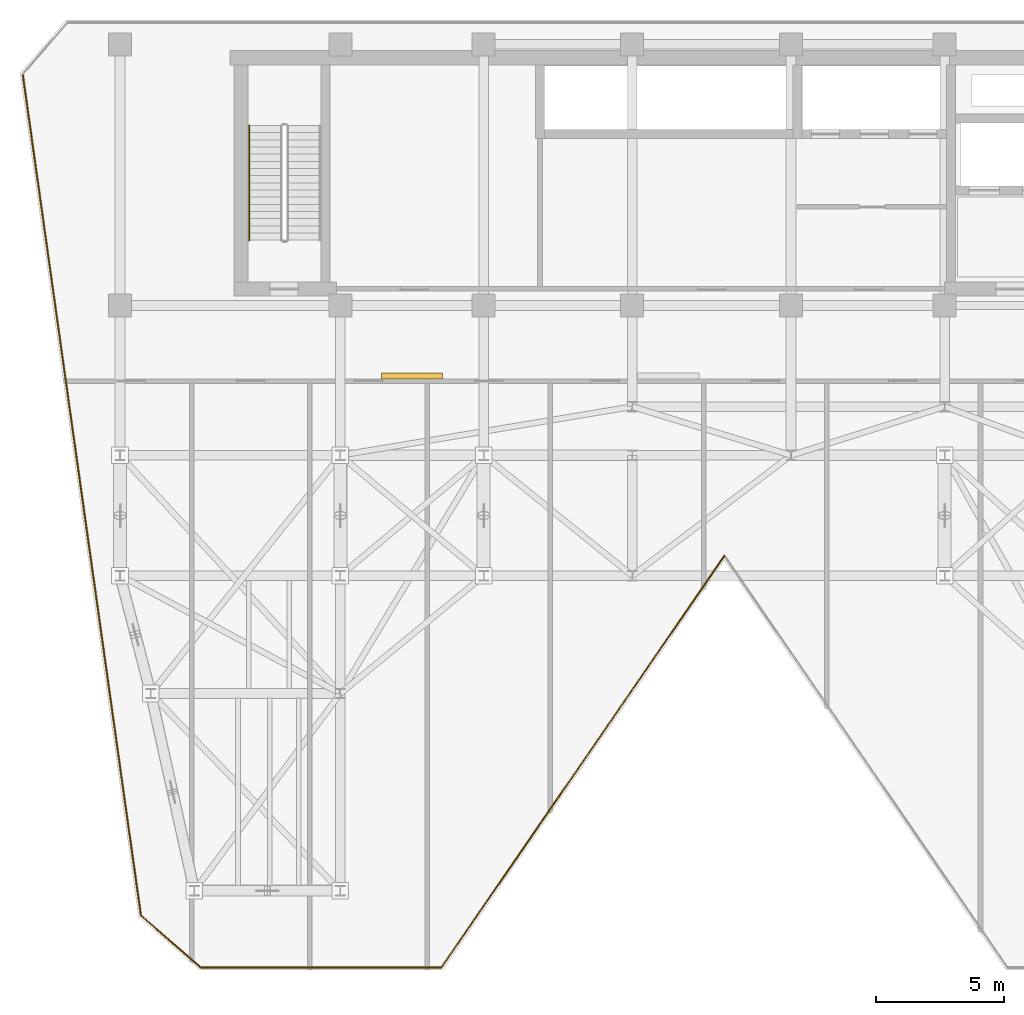
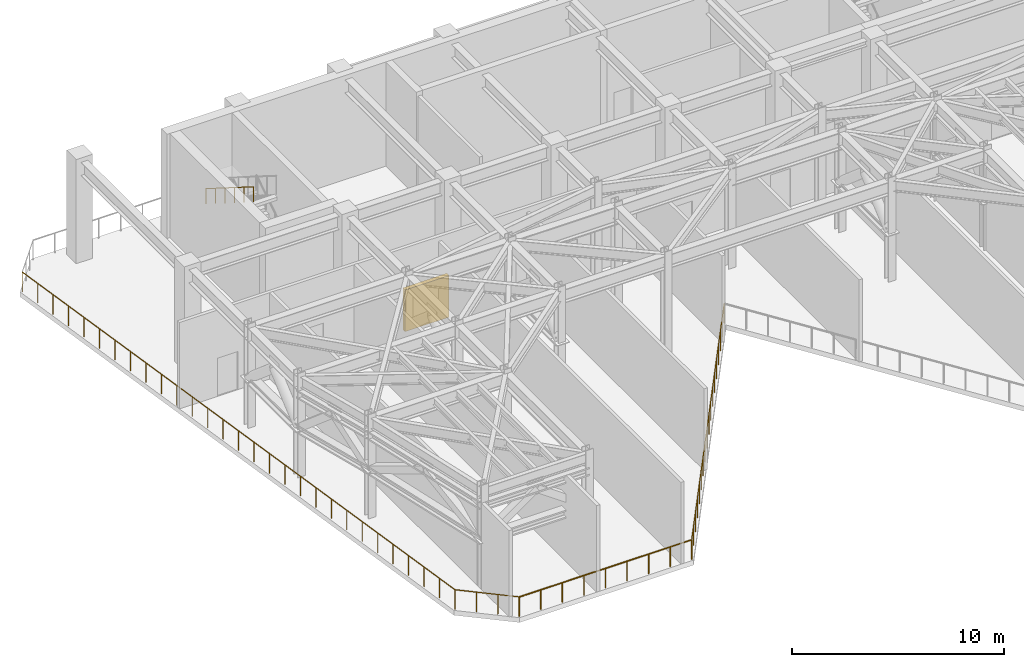
# One storey, part 6 of 12: 5 railings, 1 shading device.
"""IFC4 building model written with IfcOpenShell, lengths in metres."""

from ifc_helpers import new_model, si_unit, direction, frame, origin, origin_2d, place, context, subcontext, project, spatial, rectangle, circle, extrude, material, layer, layer_set, type_object, element, save


model = new_model("IFC4")

# Units and contexts
model_context = context("Model", 3, precision=1e-05, world=origin(), true_north=direction((0.0, 1.0)))
body_context = subcontext(model_context, "Body", "Model", "MODEL_VIEW")
ifc_project = project(units=[si_unit("LENGTHUNIT", "METRE"), si_unit("AREAUNIT", "SQUARE_METRE"), si_unit("VOLUMEUNIT", "CUBIC_METRE"), si_unit("PLANEANGLEUNIT", "RADIAN"), si_unit("MASSUNIT", "GRAM", prefix="KILO")], contexts=[model_context])

# Site, building, storey
site_placement = place(None, origin())
site = spatial("IfcSite", under=ifc_project, at=site_placement, CompositionType="ELEMENT")
building_placement = place(site_placement, origin())
building = spatial("IfcBuilding", under=site, at=building_placement, Name="Kravanh Interchange Tower", CompositionType="ELEMENT")
storey_placement = place(building_placement, frame((0.0, 0.0, 225.0)))
storey = spatial("IfcBuildingStorey", under=building, at=storey_placement, Name="L54", CompositionType="ELEMENT", Elevation=225.0)

# Shading device
ifc_material_1 = material(Name="Extruded Bronze Aluminium Acoustic Blades", Category="aluminium")
ifc_layer_1 = layer(ifc_material_1, 0.219970703125)
ifc_layer_set_1 = layer_set([ifc_layer_1], Name="Acoustic Weatherproof Plant Louvre Bank")
shading_device_type = type_object("IfcShadingDeviceType", Name="Acoustic Weatherproof Plant Louvre Bank", PredefinedType="JALOUSIE", material=ifc_layer_set_1)
shading_device_placement = place(storey_placement, frame((30.0, 34.60009765625, 0.0), z_axis=(0.0, 0.0, 1.0), x_axis=(1.0, 0.0, 0.0)))
element("IfcShadingDevice", 1, at=shading_device_placement, inside=storey, type_object=shading_device_type, Name="L54 Plant Acoustic Intake Louvre 1", PredefinedType="JALOUSIE", context=body_context, shape_type="SweptSolid", body=[
    extrude(rectangle(XDim=2.39990234375, YDim=0.219970703125, at=origin_2d()), origin(), (0.0, 0.0, 1.0), 2.39990234375),
])

# Railings
ifc_material_2 = material(Name="Stainless Steel 304", Category="steel")
ifc_layer_2 = layer(ifc_material_2, 0.044921875)
ifc_layer_set_2 = layer_set([ifc_layer_2], Name="Tubular Stair Handrail Stainless 304 900mm")
railing_type_1 = type_object("IfcRailingType", Name="Tubular Stair Handrail Stainless 304 900mm", PredefinedType="HANDRAIL", material=ifc_layer_set_2)
railing_1_placement = place(storey_placement, frame((23.64990234375, 44.3798828125, 3.176513671875)))
element("IfcRailing", 2, at=railing_1_placement, inside=storey, type_object=railing_type_1, Name="L54 ST3 stair handrail 2", PredefinedType="HANDRAIL", context=body_context, shape_type="SweptSolid", body=[
    extrude(circle(Radius=0.02392578125, at=origin_2d()), frame((0.0, 0.0, 0.8759765625), z_axis=(0.0, -0.845997938375, 0.533186166611), x_axis=(1.0, 0.0, 0.0)), (0.0, 0.0, 1.0), 5.29541015625),
    extrude(circle(Radius=0.02099609375, at=origin_2d()), origin(), (0.0, 0.0, 1.0), 0.851806640625),
    extrude(circle(Radius=0.02099609375, at=origin_2d()), frame((0.0, -0.89599609375, 0.564697265625)), (0.0, 0.0, 1.0), 0.851806640625),
    extrude(circle(Radius=0.02099609375, at=origin_2d()), frame((0.0, -1.7919921875, 1.12939453125)), (0.0, 0.0, 1.0), 0.851806640625),
    extrude(circle(Radius=0.02099609375, at=origin_2d()), frame((0.0, -2.68798828125, 1.694091796875)), (0.0, 0.0, 1.0), 0.851806640625),
    extrude(circle(Radius=0.02099609375, at=origin_2d()), frame((0.0, -3.583984375, 2.2587890625)), (0.0, 0.0, 1.0), 0.851806640625),
    extrude(circle(Radius=0.02099609375, at=origin_2d()), frame((0.0, -4.47998046875, 2.823486328125)), (0.0, 0.0, 1.0), 0.851806640625),
])
ifc_material_3 = material(Name="Structural Steel S355", Category="steel")
ifc_layer_3 = layer(ifc_material_3, 0.070068359375)
ifc_layer_set_3 = layer_set([ifc_layer_3], Name="Wind Storey Perimeter Safety Guardrail Structural Steel S355 1150mm")
railing_type_2 = type_object("IfcRailingType", Name="Wind Storey Perimeter Safety Guardrail Structural Steel S355 1150mm", PredefinedType="GUARDRAIL", material=ifc_layer_set_3)
railing_2_placement = place(storey_placement, frame((19.41552734375, 13.530517578125, 0.0)))
element("IfcRailing", 3, at=railing_2_placement, inside=storey, type_object=railing_type_2, Name="L54 Open Wind Floor Perimeter Guardrail 1", PredefinedType="GUARDRAIL", context=body_context, shape_type="SweptSolid", body=[
    extrude(circle(Radius=0.02392578125, at=origin_2d()), frame((0.0, 0.0, 1.1259765625), z_axis=(-0.139171294259, 0.990268322655, 0.0), x_axis=(-0.990268322655, -0.139171294259, 0.0)), (0.0, 0.0, 1.0), 33.181640625),
    extrude(circle(Radius=0.02099609375, at=origin_2d()), origin(), (0.0, 0.0, 1.0), 1.101806640625),
    extrude(circle(Radius=0.02099609375, at=origin_2d()), frame((-0.1650390625, 1.173583984375, 0.0)), (0.0, 0.0, 1.0), 1.101806640625),
    extrude(circle(Radius=0.02099609375, at=origin_2d()), frame((-0.329833984375, 2.34716796875, 0.0)), (0.0, 0.0, 1.0), 1.101806640625),
    extrude(circle(Radius=0.02099609375, at=origin_2d()), frame((-0.494873046875, 3.5205078125, 0.0)), (0.0, 0.0, 1.0), 1.101806640625),
    extrude(circle(Radius=0.02099609375, at=origin_2d()), frame((-0.65966796875, 4.694091796875, 0.0)), (0.0, 0.0, 1.0), 1.101806640625),
    extrude(circle(Radius=0.02099609375, at=origin_2d()), frame((-0.82470703125, 5.86767578125, 0.0)), (0.0, 0.0, 1.0), 1.101806640625),
    extrude(circle(Radius=0.02099609375, at=origin_2d()), frame((-0.989501953125, 7.041015625, 0.0)), (0.0, 0.0, 1.0), 1.101806640625),
    extrude(circle(Radius=0.02099609375, at=origin_2d()), frame((-1.154541015625, 8.214599609375, 0.0)), (0.0, 0.0, 1.0), 1.101806640625),
    extrude(circle(Radius=0.02099609375, at=origin_2d()), frame((-1.3193359375, 9.38818359375, 0.0)), (0.0, 0.0, 1.0), 1.101806640625),
    extrude(circle(Radius=0.02099609375, at=origin_2d()), frame((-1.484375, 10.561767578125, 0.0)), (0.0, 0.0, 1.0), 1.101806640625),
    extrude(circle(Radius=0.02099609375, at=origin_2d()), frame((-1.649169921875, 11.7353515625, 0.0)), (0.0, 0.0, 1.0), 1.101806640625),
    extrude(circle(Radius=0.02099609375, at=origin_2d()), frame((-1.814208984375, 12.90869140625, 0.0)), (0.0, 0.0, 1.0), 1.101806640625),
    extrude(circle(Radius=0.02099609375, at=origin_2d()), frame((-1.97900390625, 14.082275390625, 0.0)), (0.0, 0.0, 1.0), 1.101806640625),
    extrude(circle(Radius=0.02099609375, at=origin_2d()), frame((-2.14404296875, 15.255859375, 0.0)), (0.0, 0.0, 1.0), 1.101806640625),
    extrude(circle(Radius=0.02099609375, at=origin_2d()), frame((-2.30908203125, 16.42919921875, 0.0)), (0.0, 0.0, 1.0), 1.101806640625),
    extrude(circle(Radius=0.02099609375, at=origin_2d()), frame((-2.473876953125, 17.602783203125, 0.0)), (0.0, 0.0, 1.0), 1.101806640625),
    extrude(circle(Radius=0.02099609375, at=origin_2d()), frame((-2.638916015625, 18.7763671875, 0.0)), (0.0, 0.0, 1.0), 1.101806640625),
    extrude(circle(Radius=0.02099609375, at=origin_2d()), frame((-2.8037109375, 19.949951171875, 0.0)), (0.0, 0.0, 1.0), 1.101806640625),
    extrude(circle(Radius=0.02099609375, at=origin_2d()), frame((-2.96875, 21.12353515625, 0.0)), (0.0, 0.0, 1.0), 1.101806640625),
    extrude(circle(Radius=0.02099609375, at=origin_2d()), frame((-3.133544921875, 22.296875, 0.0)), (0.0, 0.0, 1.0), 1.101806640625),
    extrude(circle(Radius=0.02099609375, at=origin_2d()), frame((-3.298583984375, 23.470458984375, 0.0)), (0.0, 0.0, 1.0), 1.101806640625),
    extrude(circle(Radius=0.02099609375, at=origin_2d()), frame((-3.46337890625, 24.64404296875, 0.0)), (0.0, 0.0, 1.0), 1.101806640625),
    extrude(circle(Radius=0.02099609375, at=origin_2d()), frame((-3.62841796875, 25.8173828125, 0.0)), (0.0, 0.0, 1.0), 1.101806640625),
    extrude(circle(Radius=0.02099609375, at=origin_2d()), frame((-3.793212890625, 26.990966796875, 0.0)), (0.0, 0.0, 1.0), 1.101806640625),
    extrude(circle(Radius=0.02099609375, at=origin_2d()), frame((-3.958251953125, 28.16455078125, 0.0)), (0.0, 0.0, 1.0), 1.101806640625),
    extrude(circle(Radius=0.02099609375, at=origin_2d()), frame((-4.123046875, 29.338134765625, 0.0)), (0.0, 0.0, 1.0), 1.101806640625),
    extrude(circle(Radius=0.02099609375, at=origin_2d()), frame((-4.2880859375, 30.51171875, 0.0)), (0.0, 0.0, 1.0), 1.101806640625),
    extrude(circle(Radius=0.02099609375, at=origin_2d()), frame((-4.452880859375, 31.68505859375, 0.0)), (0.0, 0.0, 1.0), 1.101806640625),
    extrude(circle(Radius=0.02099609375, at=origin_2d()), frame((-4.617919921875, 32.858642578125, 0.0)), (0.0, 0.0, 1.0), 1.101806640625),
])
railing_3_placement = place(storey_placement, frame((42.199951171875, 27.576416015625, 0.0)))
element("IfcRailing", 4, at=railing_3_placement, inside=storey, type_object=railing_type_2, Name="L54 Open Wind Floor Perimeter Guardrail 9", PredefinedType="GUARDRAIL", context=body_context, shape_type="SweptSolid", body=[
    extrude(circle(Radius=0.02392578125, at=origin_2d()), frame((0.0, 0.0, 1.1259765625), z_axis=(-0.566527229575, -0.824043019599, 0.0), x_axis=(0.824043019599, -0.566527229575, 0.0)), (0.0, 0.0, 1.0), 19.50927734375),
    extrude(circle(Radius=0.02099609375, at=origin_2d()), origin(), (0.0, 0.0, 1.0), 1.101806640625),
    extrude(circle(Radius=0.02099609375, at=origin_2d()), frame((-0.650146484375, -0.945556640625, 0.0)), (0.0, 0.0, 1.0), 1.101806640625),
    extrude(circle(Radius=0.02099609375, at=origin_2d()), frame((-1.30029296875, -1.891357421875, 0.0)), (0.0, 0.0, 1.0), 1.101806640625),
    extrude(circle(Radius=0.02099609375, at=origin_2d()), frame((-1.950439453125, -2.8369140625, 0.0)), (0.0, 0.0, 1.0), 1.101806640625),
    extrude(circle(Radius=0.02099609375, at=origin_2d()), frame((-2.6005859375, -3.78271484375, 0.0)), (0.0, 0.0, 1.0), 1.101806640625),
    extrude(circle(Radius=0.02099609375, at=origin_2d()), frame((-3.250732421875, -4.728271484375, 0.0)), (0.0, 0.0, 1.0), 1.101806640625),
    extrude(circle(Radius=0.02099609375, at=origin_2d()), frame((-3.90087890625, -5.674072265625, 0.0)), (0.0, 0.0, 1.0), 1.101806640625),
    extrude(circle(Radius=0.02099609375, at=origin_2d()), frame((-4.551025390625, -6.61962890625, 0.0)), (0.0, 0.0, 1.0), 1.101806640625),
    extrude(circle(Radius=0.02099609375, at=origin_2d()), frame((-5.201171875, -7.5654296875, 0.0)), (0.0, 0.0, 1.0), 1.101806640625),
    extrude(circle(Radius=0.02099609375, at=origin_2d()), frame((-5.851318359375, -8.510986328125, 0.0)), (0.0, 0.0, 1.0), 1.101806640625),
    extrude(circle(Radius=0.02099609375, at=origin_2d()), frame((-6.50146484375, -9.456787109375, 0.0)), (0.0, 0.0, 1.0), 1.101806640625),
    extrude(circle(Radius=0.02099609375, at=origin_2d()), frame((-7.151611328125, -10.40234375, 0.0)), (0.0, 0.0, 1.0), 1.101806640625),
    extrude(circle(Radius=0.02099609375, at=origin_2d()), frame((-7.8017578125, -11.34814453125, 0.0)), (0.0, 0.0, 1.0), 1.101806640625),
    extrude(circle(Radius=0.02099609375, at=origin_2d()), frame((-8.451904296875, -12.293701171875, 0.0)), (0.0, 0.0, 1.0), 1.101806640625),
    extrude(circle(Radius=0.02099609375, at=origin_2d()), frame((-9.10205078125, -13.239501953125, 0.0)), (0.0, 0.0, 1.0), 1.101806640625),
    extrude(circle(Radius=0.02099609375, at=origin_2d()), frame((-9.752197265625, -14.18505859375, 0.0)), (0.0, 0.0, 1.0), 1.101806640625),
    extrude(circle(Radius=0.02099609375, at=origin_2d()), frame((-10.40234375, -15.130859375, 0.0)), (0.0, 0.0, 1.0), 1.101806640625),
    extrude(circle(Radius=0.02099609375, at=origin_2d()), frame((-11.052490234375, -16.076416015625, 0.0)), (0.0, 0.0, 1.0), 1.101806640625),
])
railing_4_placement = place(storey_placement, frame((31.1474609375, 11.5, 0.0)))
element("IfcRailing", 5, at=railing_4_placement, inside=storey, type_object=railing_type_2, Name="L54 Open Wind Floor Perimeter Guardrail 10", PredefinedType="GUARDRAIL", context=body_context, shape_type="SweptSolid", body=[
    extrude(circle(Radius=0.02392578125, at=origin_2d()), frame((0.0, 0.0, 1.1259765625), z_axis=(-1.0, 0.0, 0.0), x_axis=(0.0, -1.0, 0.0)), (0.0, 0.0, 1.0), 9.39599609375),
    extrude(circle(Radius=0.02099609375, at=origin_2d()), origin(), (0.0, 0.0, 1.0), 1.101806640625),
    extrude(circle(Radius=0.02099609375, at=origin_2d()), frame((-1.174560546875, 0.0, 0.0)), (0.0, 0.0, 1.0), 1.101806640625),
    extrude(circle(Radius=0.02099609375, at=origin_2d()), frame((-2.34912109375, 0.0, 0.0)), (0.0, 0.0, 1.0), 1.101806640625),
    extrude(circle(Radius=0.02099609375, at=origin_2d()), frame((-3.5234375, 0.0, 0.0)), (0.0, 0.0, 1.0), 1.101806640625),
    extrude(circle(Radius=0.02099609375, at=origin_2d()), frame((-4.697998046875, 0.0, 0.0)), (0.0, 0.0, 1.0), 1.101806640625),
    extrude(circle(Radius=0.02099609375, at=origin_2d()), frame((-5.87255859375, 0.0, 0.0)), (0.0, 0.0, 1.0), 1.101806640625),
    extrude(circle(Radius=0.02099609375, at=origin_2d()), frame((-7.046875, 0.0, 0.0)), (0.0, 0.0, 1.0), 1.101806640625),
    extrude(circle(Radius=0.02099609375, at=origin_2d()), frame((-8.221435546875, 0.0, 0.0)), (0.0, 0.0, 1.0), 1.101806640625),
    extrude(circle(Radius=0.02099609375, at=origin_2d()), frame((-9.39599609375, 0.0, 0.0)), (0.0, 0.0, 1.0), 1.101806640625),
])
railing_5_placement = place(storey_placement, frame((21.75146484375, 11.5, 0.0)))
element("IfcRailing", 6, at=railing_5_placement, inside=storey, type_object=railing_type_2, Name="L54 Open Wind Floor Perimeter Guardrail 11", PredefinedType="GUARDRAIL", context=body_context, shape_type="SweptSolid", body=[
    extrude(circle(Radius=0.02392578125, at=origin_2d()), frame((0.0, 0.0, 1.1259765625), z_axis=(-0.754722683688, 0.656043954874, 0.0), x_axis=(-0.656043954874, -0.754722683688, 0.0)), (0.0, 0.0, 1.0), 3.09521484375),
    extrude(circle(Radius=0.02099609375, at=origin_2d()), origin(), (0.0, 0.0, 1.0), 1.101806640625),
    extrude(circle(Radius=0.02099609375, at=origin_2d()), frame((-0.778564453125, 0.6767578125, 0.0)), (0.0, 0.0, 1.0), 1.101806640625),
    extrude(circle(Radius=0.02099609375, at=origin_2d()), frame((-1.557373046875, 1.353759765625, 0.0)), (0.0, 0.0, 1.0), 1.101806640625),
    extrude(circle(Radius=0.02099609375, at=origin_2d()), frame((-2.3359375, 2.030517578125, 0.0)), (0.0, 0.0, 1.0), 1.101806640625),
])

save(model, "model.ifc")
